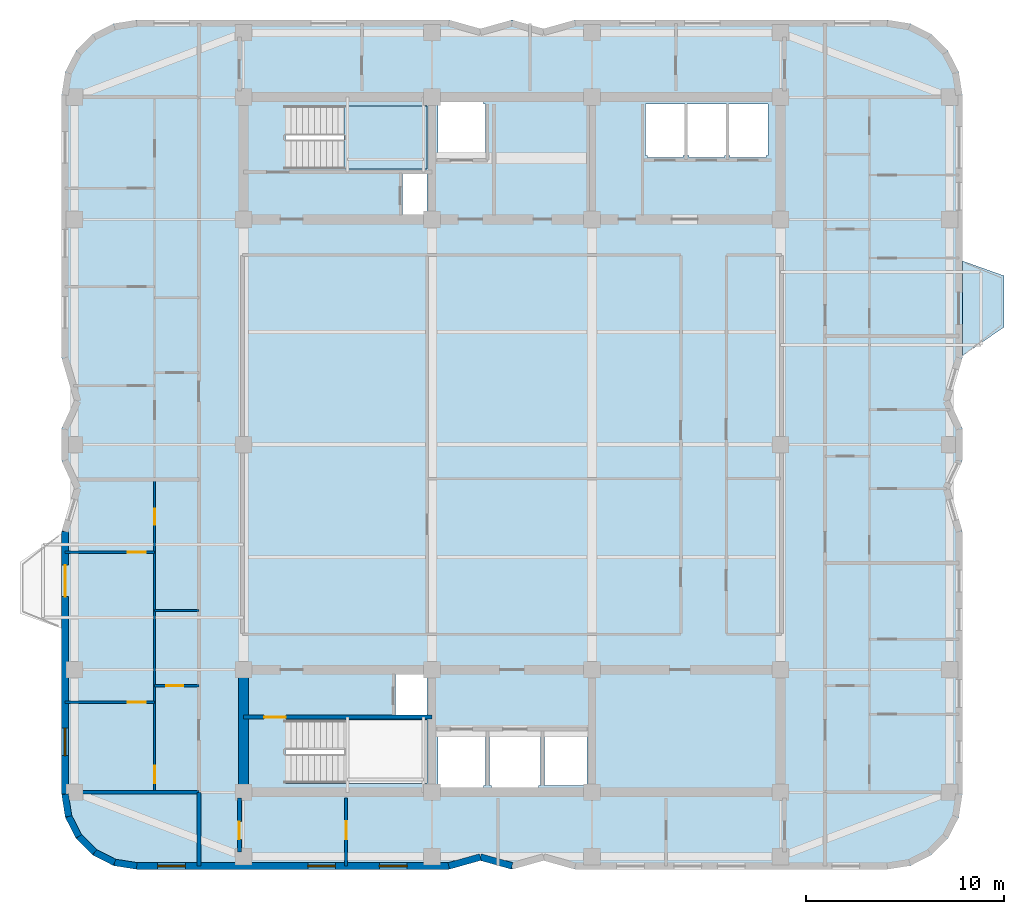
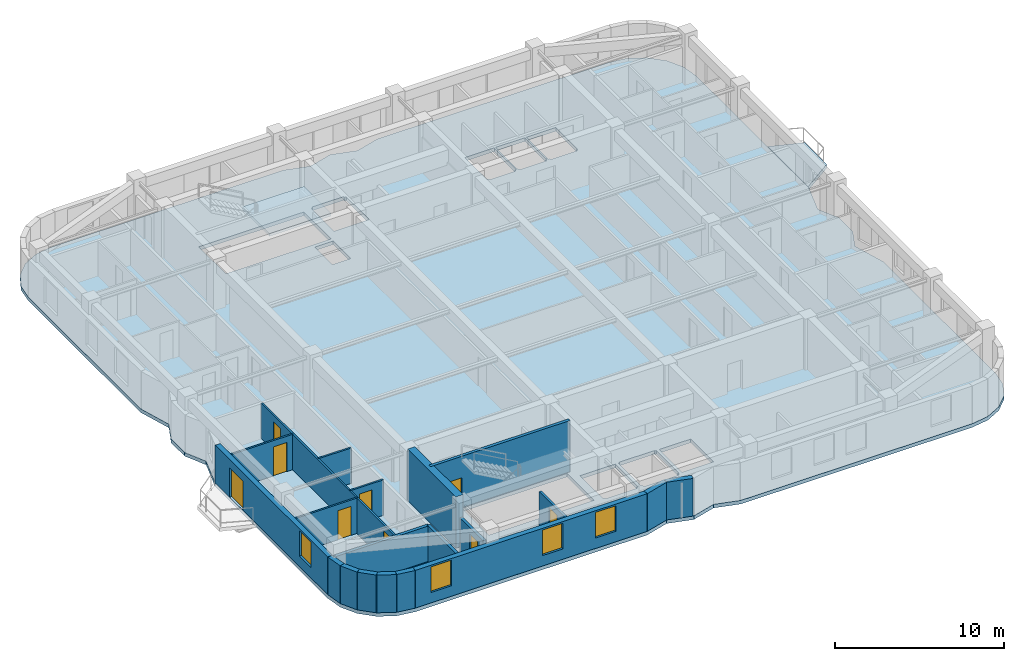
# One storey, part 2 of 9: 20 walls, 9 doors, 4 windows, 3 slabs, 13 openings, 1 element without a shape of its own.
"""IFC4 building model written with IfcOpenShell, lengths in metres."""

from ifc_helpers import new_model, si_unit, direction, frame, frame_2d, origin, place, context, subcontext, project, spatial, polyline, rectangle, outline, extrude, material, layer, layer_set, type_object, element, fill, aggregate, save


model = new_model("IFC4")

# Units and contexts
model_context = context("Model", 3, precision=1e-05, world=origin(), true_north=direction((0.0, 1.0)))
body_context = subcontext(model_context, "Body", "Model", "MODEL_VIEW")
ifc_project = project(units=[si_unit("LENGTHUNIT", "METRE"), si_unit("AREAUNIT", "SQUARE_METRE"), si_unit("VOLUMEUNIT", "CUBIC_METRE"), si_unit("PLANEANGLEUNIT", "RADIAN"), si_unit("MASSUNIT", "GRAM", prefix="KILO")], contexts=[model_context])

# Site, building, storey
site_placement = place(None, origin())
site = spatial("IfcSite", under=ifc_project, at=site_placement, CompositionType="ELEMENT")
building_placement = place(site_placement, origin())
building = spatial("IfcBuilding", under=site, at=building_placement, Name="Svetorya Sky Lyceum", CompositionType="ELEMENT")
storey_placement = place(building_placement, frame((0.0, 0.0, 211.0)))
storey = spatial("IfcBuildingStorey", under=building, at=storey_placement, Name="L52", CompositionType="ELEMENT", Elevation=211.0)

# Slab
ifc_material_1 = material(Name="Concrete C40/50", Category="concrete")
ifc_layer_1 = layer(ifc_material_1, 0.260009765625)
ifc_layer_set_1 = layer_set([ifc_layer_1], Name="Concrete C40/50")
slab_type_1 = type_object("IfcSlabType", Name="SL-BAL-260", PredefinedType="FLOOR", material=ifc_layer_set_1)
slab_1_placement = place(storey_placement, frame((0.0, 0.0, -0.260009765625)))
element("IfcSlab", 1, at=slab_1_placement, inside=storey, type_object=slab_type_1, Name="L52 Chamfered Loggia Balcony BAL-E1", PredefinedType="FLOOR", context=body_context, shape_type="SweptSolid", body=[
    extrude(outline(polyline([(62.010009765625, 32.699951171875), (64.110107421875, 34.14990234375), (64.110107421875, 36.75), (62.010009765625, 37.5), (62.010009765625, 32.699951171875)])), origin(), (0.0, 0.0, 1.0), 0.260009765625),
])

# Stair, slab
stair_type = type_object("IfcStairType", Name="STR-ST-N", PredefinedType="HALF_TURN_STAIR", material=ifc_material_1)
stair_placement = place(storey_placement, origin())
stair = element("IfcStair", 2, at=stair_placement, inside=storey, type_object=stair_type, Name="L52 North Core Smoke-Free Exit Stair N3", PredefinedType="HALF_TURN_STAIR")
ifc_layer_2 = layer(ifc_material_1, 0.199951171875)
ifc_layer_set_2 = layer_set([ifc_layer_2], Name="Concrete C40/50")
slab_type_2 = type_object("IfcSlabType", Name="SL-STR-LAND-200", PredefinedType="LANDING", material=ifc_layer_set_2)
slab_2_placement = place(storey_placement, frame((0.0, 0.0, 1.64990234375)))
slab_2 = element("IfcSlab", 3, at=slab_2_placement, type_object=slab_type_2, Name="ST-N landing 1", PredefinedType="LANDING", context=body_context, shape_type="SweptSolid", body=[
    extrude(outline(polyline([(30.699951171875, 42.14990234375), (34.89990234375, 42.14990234375), (34.89990234375, 45.35009765625), (30.699951171875, 45.35009765625), (30.699951171875, 42.14990234375)])), origin(), (0.0, 0.0, 1.0), 0.2001953125),
])
aggregate(stair, [slab_2])

# Slab
ifc_material_2 = material(Name="Concrete C50/60", Category="concrete")
ifc_layer_3 = layer(ifc_material_2, 0.260009765625)
ifc_layer_set_3 = layer_set([ifc_layer_3], Name="Concrete C50/60")
slab_type_3 = type_object("IfcSlabType", Name="SL-TWR-260", PredefinedType="FLOOR", material=ifc_layer_set_3)
slab_3_placement = place(storey_placement, frame((0.0, 0.0, -0.260009765625)))
element("IfcSlab", 4, at=slab_3_placement, inside=storey, type_object=slab_type_3, Name="L52 Structural Floor Slab", PredefinedType="FLOOR", context=body_context, shape_type="SweptSolid", body=[
    extrude(outline(polyline([(16.39990234375, 10.5), (16.5859375, 9.32568359375), (17.125732421875, 8.266357421875), (17.96630859375, 7.42578125), (19.025634765625, 6.885986328125), (20.199951171875, 6.699951171875), (36.0, 6.699951171875), (37.60009765625, 7.14990234375), (39.199951171875, 6.699951171875), (40.800048828125, 7.14990234375), (42.39990234375, 6.699951171875), (58.199951171875, 6.699951171875), (59.374267578125, 6.885986328125), (60.43359375, 7.42578125), (61.2744140625, 8.266357421875), (61.81396484375, 9.32568359375), (62.0, 10.5), (62.0, 23.800048828125), (61.35009765625, 26.0), (62.0, 27.39990234375), (62.0, 29.0), (61.35009765625, 30.39990234375), (62.0, 32.60009765625), (62.0, 45.89990234375), (61.81396484375, 47.07421875), (61.2744140625, 48.133544921875), (60.43359375, 48.974365234375), (59.374267578125, 49.513916015625), (58.199951171875, 49.699951171875), (42.39990234375, 49.699951171875), (40.800048828125, 49.25), (39.199951171875, 49.699951171875), (37.60009765625, 49.25), (36.0, 49.699951171875), (20.199951171875, 49.699951171875), (19.025634765625, 49.513916015625), (17.96630859375, 48.974365234375), (17.125732421875, 48.133544921875), (16.5859375, 47.07421875), (16.39990234375, 45.89990234375), (16.39990234375, 32.60009765625), (17.050048828125, 30.39990234375), (16.39990234375, 29.0), (16.39990234375, 27.39990234375), (17.050048828125, 26.0), (16.39990234375, 23.800048828125), (16.39990234375, 10.5)]), holes=[polyline([(37.85009765625, 10.949951171875), (37.75, 10.949951171875), (37.75, 10.85009765625), (35.550048828125, 10.85009765625), (35.550048828125, 10.949951171875), (35.449951171875, 10.949951171875), (35.449951171875, 13.64990234375), (35.550048828125, 13.64990234375), (37.75, 13.64990234375), (37.85009765625, 13.64990234375), (37.85009765625, 10.949951171875)]), polyline([(38.14990234375, 10.800048828125), (38.14990234375, 10.949951171875), (38.050048828125, 10.949951171875), (38.050048828125, 13.64990234375), (38.14990234375, 13.64990234375), (38.14990234375, 13.699951171875), (40.550048828125, 13.699951171875), (40.550048828125, 13.64990234375), (40.64990234375, 13.64990234375), (40.64990234375, 10.949951171875), (40.550048828125, 10.949951171875), (40.550048828125, 10.800048828125), (38.14990234375, 10.800048828125)]), polyline([(27.719970703125, 11.050048828125), (27.719970703125, 14.25), (34.89990234375, 14.25), (34.89990234375, 11.050048828125), (27.719970703125, 11.050048828125)]), polyline([(33.300048828125, 14.52001953125), (33.300048828125, 16.580078125), (34.89990234375, 16.580078125), (34.89990234375, 14.52001953125), (33.300048828125, 14.52001953125)]), polyline([(33.64990234375, 39.820068359375), (33.64990234375, 41.89990234375), (34.89990234375, 41.89990234375), (34.89990234375, 39.820068359375), (33.64990234375, 39.820068359375)]), polyline([(27.719970703125, 42.14990234375), (27.719970703125, 45.35009765625), (34.89990234375, 45.35009765625), (34.89990234375, 42.14990234375), (27.719970703125, 42.14990234375)]), polyline([(37.75, 42.75), (35.550048828125, 42.75), (35.449951171875, 42.75), (35.449951171875, 45.449951171875), (35.550048828125, 45.449951171875), (35.550048828125, 45.550048828125), (37.75, 45.550048828125), (37.75, 45.449951171875), (37.85009765625, 45.449951171875), (37.85009765625, 42.75), (37.75, 42.75)]), polyline([(40.85009765625, 10.949951171875), (40.85009765625, 13.64990234375), (43.0, 13.64990234375), (43.0, 10.949951171875), (40.85009765625, 10.949951171875)]), polyline([(46.050048828125, 42.75), (46.050048828125, 42.85009765625), (45.949951171875, 42.85009765625), (45.949951171875, 45.449951171875), (46.050048828125, 45.449951171875), (47.85009765625, 45.449951171875), (47.949951171875, 45.449951171875), (47.949951171875, 42.85009765625), (47.85009765625, 42.85009765625), (47.85009765625, 42.75), (46.050048828125, 42.75)]), polyline([(50.050048828125, 42.85009765625), (49.949951171875, 42.85009765625), (49.949951171875, 42.75), (48.14990234375, 42.75), (48.14990234375, 42.85009765625), (48.050048828125, 42.85009765625), (48.050048828125, 45.449951171875), (48.14990234375, 45.449951171875), (49.949951171875, 45.449951171875), (50.050048828125, 45.449951171875), (50.050048828125, 42.85009765625)]), polyline([(52.14990234375, 42.85009765625), (52.050048828125, 42.85009765625), (52.050048828125, 42.75), (50.25, 42.75), (50.25, 42.85009765625), (50.14990234375, 42.85009765625), (50.14990234375, 45.449951171875), (50.25, 45.449951171875), (52.050048828125, 45.449951171875), (52.14990234375, 45.449951171875), (52.14990234375, 42.85009765625)])]), origin(), (0.0, 0.0, 1.0), 0.260009765625),
])

# Walls
ifc_layer_4 = layer(ifc_material_2, 0.5)
ifc_layer_set_4 = layer_set([ifc_layer_4], Name="Concrete C50/60")
wall_type_1 = type_object("IfcWallType", Name="WL-CORE-500", PredefinedType="SHEAR", material=ifc_layer_set_4)
wall_1_placement = place(storey_placement, frame((25.60009765625, 10.85009765625, 0.0), z_axis=(0.0, 0.0, 1.0), x_axis=(0.0, 1.0, 0.0)))
element("IfcWall", 5, at=wall_1_placement, inside=storey, type_object=wall_type_1, Name="L52 SC West Core Shear Wall", PredefinedType="SHEAR", context=body_context, shape_type="SweptSolid", body=[
    extrude(rectangle(XDim=5.699951171875, YDim=0.5, at=frame_2d((2.85009765625, 0.0))), origin(), (0.0, 0.0, 1.0), 3.699951171875),
])
ifc_material_3 = material(Name="Putilovo limestone rainscreen on autoclaved cellular masonry", Category="masonry")
ifc_layer_5 = layer(ifc_material_3, 0.340087890625)
ifc_layer_set_5 = layer_set([ifc_layer_5], Name="Putilovo limestone rainscreen on autoclaved cellular masonry")
wall_type_2 = type_object("IfcWallType", Name="WL-EXT-340", PredefinedType="SOLIDWALL", material=ifc_layer_set_5)
wall_2_placement = place(storey_placement, frame((16.570068359375, 10.5, 0.0), z_axis=(0.0, 0.0, 1.0), x_axis=(0.156514556949, -0.987675651954, 0.0)))
element("IfcWall", 6, at=wall_2_placement, inside=storey, type_object=wall_type_2, Name="L52 Limestone Exterior Wall 1M", PredefinedType="SOLIDWALL", context=body_context, shape_type="SweptSolid", body=[
    extrude(rectangle(XDim=1.135498046875, YDim=0.340087890625, at=frame_2d((0.56787109375, 0.0))), origin(), (0.0, 0.0, 1.0), 2.719970703125),
])
for number, where, z_axis, x_axis, name in (
    (7, (16.747802734375, 9.37841796875, 0.0), (0.0, 0.0, 1.0), (0.45373580117, -0.891136253744, 0.0), "L52 Limestone Exterior Wall 2M"),
    (8, (17.26318359375, 8.3662109375, 0.0), (0.0, 0.0, 1.0), (0.707214252388, -0.706999293649, 0.0), "L52 Limestone Exterior Wall 3M"),
    (9, (18.06640625, 7.563232421875, 0.0), (0.0, 0.0, 1.0), (0.891005044957, -0.453993402883, 0.0), "L52 Limestone Exterior Wall 4M"),
):
    element("IfcWall", number, at=place(storey_placement, frame(where, z_axis=z_axis, x_axis=x_axis)), inside=storey, type_object=wall_type_2, Name=name, PredefinedType="SOLIDWALL", context=body_context, shape_type="SweptSolid", body=[
        extrude(rectangle(XDim=1.1357421875, YDim=0.340087890625, at=frame_2d((0.56787109375, 0.0))), origin(), (0.0, 0.0, 1.0), 2.719970703125),
    ])
wall_3_placement = place(storey_placement, frame((19.078369140625, 7.047607421875, 0.0), z_axis=(0.0, 0.0, 1.0), x_axis=(0.987708865555, -0.156304820474, 0.0)))
element("IfcWall", 10, at=wall_3_placement, inside=storey, type_object=wall_type_2, Name="L52 Limestone Exterior Wall 5M", PredefinedType="SOLIDWALL", context=body_context, shape_type="SweptSolid", body=[
    extrude(rectangle(XDim=1.135498046875, YDim=0.340087890625, at=frame_2d((0.56787109375, 0.0))), origin(), (0.0, 0.0, 1.0), 2.719970703125),
])

# Wall, openings, windows
wall_4_placement = place(storey_placement, frame((20.199951171875, 6.8701171875, 0.0), z_axis=(0.0, 0.0, 1.0), x_axis=(1.0, 0.0, 0.0)))
wall_4 = element("IfcWall", 11, at=wall_4_placement, inside=storey, type_object=wall_type_2, Name="L52 Limestone Exterior Wall 6M", PredefinedType="SOLIDWALL", context=body_context, shape_type="SweptSolid", body=[
    extrude(rectangle(XDim=15.800048828125, YDim=0.340087890625, at=frame_2d((7.89990234375, 0.0))), origin(), (0.0, 0.0, 1.0), 2.719970703125),
])
opening_1_placement = place(wall_4_placement, frame((1.0625, 0.0, 0.75)))
opening_1 = element("IfcOpeningElement", 12, at=opening_1_placement, cuts=wall_4, Name="Opening W-R2", PredefinedType="OPENING", context=body_context, shape_type="SweptSolid", body=[
    extrude(rectangle(XDim=1.39990234375, YDim=1.85009765625, at=frame_2d((0.699951171875, 0.925048828125))), frame((0.0, 0.179931640625, 0.0), z_axis=(0.0, -1.0, 0.0), x_axis=(1.0, 0.0, 0.0)), (0.0, 0.0, 1.0), 0.360107421875),
])
opening_2_placement = place(wall_4_placement, frame((8.66259765625, 0.0, 0.75)))
opening_2 = element("IfcOpeningElement", 13, at=opening_2_placement, cuts=wall_4, Name="Opening W-R2", PredefinedType="OPENING", context=body_context, shape_type="SweptSolid", body=[
    extrude(rectangle(XDim=1.39990234375, YDim=1.85009765625, at=frame_2d((0.699951171875, 0.925048828125))), frame((0.0, 0.179931640625, 0.0), z_axis=(0.0, -1.0, 0.0), x_axis=(1.0, 0.0, 0.0)), (0.0, 0.0, 1.0), 0.360107421875),
])
opening_3_placement = place(wall_4_placement, frame((12.28759765625, 0.0, 0.75)))
opening_3 = element("IfcOpeningElement", 14, at=opening_3_placement, cuts=wall_4, Name="Opening W-R2", PredefinedType="OPENING", context=body_context, shape_type="SweptSolid", body=[
    extrude(rectangle(XDim=1.39990234375, YDim=1.85009765625, at=frame_2d((0.699951171875, 0.925048828125))), frame((0.0, 0.179931640625, 0.0), z_axis=(0.0, -1.0, 0.0), x_axis=(1.0, 0.0, 0.0)), (0.0, 0.0, 1.0), 0.360107421875),
])
ifc_material_4 = material(Name="Thermally broken aluminium frame with triple low-E glazing", Category="aluminium")
window_type = type_object("IfcWindowType", Name="WN-RES-140", PartitioningType="SINGLE_PANEL", PredefinedType="WINDOW", material=ifc_material_4)
window_1_placement = place(opening_1_placement, origin())
window_1 = element("IfcWindow", 15, at=window_1_placement, inside=storey, type_object=window_type, Name="L52 Facade Window W-R2.6M.1", OverallHeight=1.85009765625, OverallWidth=1.39990234375, PartitioningType="SINGLE_PANEL", PredefinedType="WINDOW", context=body_context, shape_type="SweptSolid", body=[
    extrude(rectangle(XDim=1.39990234375, YDim=1.85009765625, at=frame_2d((0.699951171875, 0.925048828125))), frame((0.0, 0.030029296875, 0.0), z_axis=(0.0, -1.0, 0.0), x_axis=(1.0, 0.0, 0.0)), (0.0, 0.0, 1.0), 0.06005859375),
])
fill(opening_1, window_1)
window_2_placement = place(opening_2_placement, origin())
window_2 = element("IfcWindow", 16, at=window_2_placement, inside=storey, type_object=window_type, Name="L52 Facade Window W-R2.6M.2", OverallHeight=1.85009765625, OverallWidth=1.39990234375, PartitioningType="SINGLE_PANEL", PredefinedType="WINDOW", context=body_context, shape_type="SweptSolid", body=[
    extrude(rectangle(XDim=1.39990234375, YDim=1.85009765625, at=frame_2d((0.699951171875, 0.925048828125))), frame((0.0, 0.030029296875, 0.0), z_axis=(0.0, -1.0, 0.0), x_axis=(1.0, 0.0, 0.0)), (0.0, 0.0, 1.0), 0.06005859375),
])
fill(opening_2, window_2)
window_3_placement = place(opening_3_placement, origin())
window_3 = element("IfcWindow", 17, at=window_3_placement, inside=storey, type_object=window_type, Name="L52 Facade Window W-R2.6M.3", OverallHeight=1.85009765625, OverallWidth=1.39990234375, PartitioningType="SINGLE_PANEL", PredefinedType="WINDOW", context=body_context, shape_type="SweptSolid", body=[
    extrude(rectangle(XDim=1.39990234375, YDim=1.85009765625, at=frame_2d((0.699951171875, 0.925048828125))), frame((0.0, 0.030029296875, 0.0), z_axis=(0.0, -1.0, 0.0), x_axis=(1.0, 0.0, 0.0)), (0.0, 0.0, 1.0), 0.06005859375),
])
fill(opening_3, window_3)

# Walls
wall_5_placement = place(storey_placement, frame((36.0, 6.8701171875, 0.0), z_axis=(0.0, 0.0, 1.0), x_axis=(0.962662902433, 0.270703040766, 0.0)))
element("IfcWall", 18, at=wall_5_placement, inside=storey, type_object=wall_type_2, Name="L52 Limestone Exterior Wall 7M", PredefinedType="SOLIDWALL", context=body_context, shape_type="SweptSolid", body=[
    extrude(rectangle(XDim=1.662109375, YDim=0.340087890625, at=frame_2d((0.8310546875, 0.0))), origin(), (0.0, 0.0, 1.0), 2.719970703125),
])
wall_6_placement = place(storey_placement, frame((37.60009765625, 7.320068359375, 0.0), z_axis=(0.0, 0.0, 1.0), x_axis=(0.962652136636, -0.270741322725, 0.0)))
element("IfcWall", 19, at=wall_6_placement, inside=storey, type_object=wall_type_2, Name="L52 Limestone Exterior Wall 8M", PredefinedType="SOLIDWALL", context=body_context, shape_type="SweptSolid", body=[
    extrude(rectangle(XDim=1.661865234375, YDim=0.340087890625, at=frame_2d((0.8310546875, 0.0))), origin(), (0.0, 0.0, 1.0), 2.719970703125),
])

# Wall, openings, door, window
wall_7_placement = place(storey_placement, frame((16.570068359375, 23.800048828125, 0.0), z_axis=(0.0, 0.0, 1.0), x_axis=(0.0, -1.0, 0.0)))
wall_7 = element("IfcWall", 20, at=wall_7_placement, inside=storey, type_object=wall_type_2, Name="L52 Limestone Exterior Wall 46M", PredefinedType="SOLIDWALL", context=body_context, shape_type="SweptSolid", body=[
    extrude(rectangle(XDim=13.300048828125, YDim=0.340087890625, at=frame_2d((6.64990234375, 0.0))), origin(), (0.0, 0.0, 1.0), 2.719970703125),
])
opening_4_placement = place(wall_7_placement, frame((1.699951171875, 0.0, 0.0)))
opening_4 = element("IfcOpeningElement", 21, at=opening_4_placement, cuts=wall_7, Name="Opening D-BL1", PredefinedType="OPENING", context=body_context, shape_type="SweptSolid", body=[
    extrude(rectangle(XDim=1.60009765625, YDim=2.10009765625, at=frame_2d((0.800048828125, 1.050048828125))), frame((0.0, 0.179931640625, 0.0), z_axis=(0.0, -1.0, 0.0), x_axis=(1.0, 0.0, 0.0)), (0.0, 0.0, 1.0), 0.360107421875),
])
opening_5_placement = place(wall_7_placement, frame((9.949951171875, 0.0, 0.75)))
opening_5 = element("IfcOpeningElement", 22, at=opening_5_placement, cuts=wall_7, Name="Opening W-R2", PredefinedType="OPENING", context=body_context, shape_type="SweptSolid", body=[
    extrude(rectangle(XDim=1.39990234375, YDim=1.85009765625, at=frame_2d((0.699951171875, 0.925048828125))), frame((0.0, 0.179931640625, 0.0), z_axis=(0.0, -1.0, 0.0), x_axis=(1.0, 0.0, 0.0)), (0.0, 0.0, 1.0), 0.360107421875),
])
ifc_material_5 = material(Name="Insulated glazed aluminium balcony door", Category="aluminium")
door_type_1 = type_object("IfcDoorType", Name="DR-BAL-1600", OperationType="DOUBLE_DOOR_SINGLE_SWING", PredefinedType="DOOR", material=ifc_material_5)
door_1_placement = place(opening_4_placement, origin())
door_1 = element("IfcDoor", 23, at=door_1_placement, inside=storey, type_object=door_type_1, Name="L52 Balcony BAL-W1 Door", OperationType="DOUBLE_DOOR_SINGLE_SWING", OverallHeight=2.10009765625, OverallWidth=1.60009765625, PredefinedType="DOOR", context=body_context, shape_type="SweptSolid", body=[
    extrude(rectangle(XDim=1.60009765625, YDim=2.10009765625, at=frame_2d((0.800048828125, 1.050048828125))), frame((0.0, 0.02490234375, 0.0), z_axis=(0.0, -1.0, 0.0), x_axis=(1.0, 0.0, 0.0)), (0.0, 0.0, 1.0), 0.050048828125),
])
fill(opening_4, door_1)
window_4_placement = place(opening_5_placement, origin())
window_4 = element("IfcWindow", 24, at=window_4_placement, inside=storey, type_object=window_type, Name="L52 Facade Window W-R2.46M.1", OverallHeight=1.85009765625, OverallWidth=1.39990234375, PartitioningType="SINGLE_PANEL", PredefinedType="WINDOW", context=body_context, shape_type="SweptSolid", body=[
    extrude(rectangle(XDim=1.39990234375, YDim=1.85009765625, at=frame_2d((0.699951171875, 0.925048828125))), frame((0.0, 0.030029296875, 0.0), z_axis=(0.0, -1.0, 0.0), x_axis=(1.0, 0.0, 0.0)), (0.0, 0.0, 1.0), 0.06005859375),
])
fill(opening_5, window_4)

# Wall, opening, door
ifc_material_6 = material(Name="Twin-stud galvanized framing with double fireboard", Category="gypsum")
ifc_layer_6 = layer(ifc_material_6, 0.1201171875)
ifc_layer_set_6 = layer_set([ifc_layer_6], Name="Twin-stud galvanized framing with double fireboard")
wall_type_3 = type_object("IfcWallType", Name="WL-PART-120", PredefinedType="PARTITIONING", material=ifc_layer_set_6)
wall_8_placement = place(storey_placement, frame((21.10009765625, 16.0, 0.0), z_axis=(0.0, 0.0, 1.0), x_axis=(1.0, 0.0, 0.0)))
wall_8 = element("IfcWall", 25, at=wall_8_placement, inside=storey, type_object=wall_type_3, Name="L52 Interior Partition W1-WH1", PredefinedType="PARTITIONING", context=body_context, shape_type="SweptSolid", body=[
    extrude(rectangle(XDim=2.25, YDim=0.1201171875, at=frame_2d((1.125, 0.0))), origin(), (0.0, 0.0, 1.0), 2.550048828125),
])
opening_6_placement = place(wall_8_placement, frame((0.60009765625, 0.0, 0.0)))
opening_6 = element("IfcOpeningElement", 26, at=opening_6_placement, cuts=wall_8, Name="Opening D-BT1", PredefinedType="OPENING", context=body_context, shape_type="SweptSolid", body=[
    extrude(rectangle(XDim=0.85009765625, YDim=2.10009765625, at=frame_2d((0.425048828125, 1.050048828125))), frame((0.0, 0.070068359375, 0.0), z_axis=(0.0, -1.0, 0.0), x_axis=(1.0, 0.0, 0.0)), (0.0, 0.0, 1.0), 0.14013671875),
])
ifc_material_7 = material(Name="Moisture-resistant laminate bathroom door")
door_type_2 = type_object("IfcDoorType", Name="DR-WET-850", OperationType="SINGLE_SWING_LEFT", PredefinedType="DOOR", material=ifc_material_7)
door_2_placement = place(opening_6_placement, origin())
door_2 = element("IfcDoor", 27, at=door_2_placement, inside=storey, type_object=door_type_2, Name="Apartment W1 Bathroom Door", OperationType="SINGLE_SWING_LEFT", OverallHeight=2.10009765625, OverallWidth=0.85009765625, PredefinedType="DOOR", context=body_context, shape_type="SweptSolid", body=[
    extrude(rectangle(XDim=0.85009765625, YDim=2.10009765625, at=frame_2d((0.425048828125, 1.050048828125))), frame((0.0, 0.02490234375, 0.0), z_axis=(0.0, -1.0, 0.0), x_axis=(1.0, 0.0, 0.0)), (0.0, 0.0, 1.0), 0.050048828125),
])
fill(opening_6, door_2)

# Wall
wall_9_placement = place(storey_placement, frame((21.10009765625, 19.800048828125, 0.0), z_axis=(0.0, 0.0, 1.0), x_axis=(1.0, 0.0, 0.0)))
element("IfcWall", 28, at=wall_9_placement, inside=storey, type_object=wall_type_3, Name="L52 Interior Partition W1-WH2", PredefinedType="PARTITIONING", context=body_context, shape_type="SweptSolid", body=[
    extrude(rectangle(XDim=2.25, YDim=0.1201171875, at=frame_2d((1.125, 0.0))), origin(), (0.0, 0.0, 1.0), 2.550048828125),
])

# Wall, opening, door
wall_10_placement = place(storey_placement, frame((16.570068359375, 15.14990234375, 0.0), z_axis=(0.0, 0.0, 1.0), x_axis=(1.0, 0.0, 0.0)))
wall_10 = element("IfcWall", 29, at=wall_10_placement, inside=storey, type_object=wall_type_3, Name="L52 Interior Partition W1-WL1", PredefinedType="PARTITIONING", context=body_context, shape_type="SweptSolid", body=[
    extrude(rectangle(XDim=4.530029296875, YDim=0.1201171875, at=frame_2d((2.26513671875, 0.0))), origin(), (0.0, 0.0, 1.0), 2.550048828125),
])
opening_7_placement = place(wall_10_placement, frame((3.179931640625, 0.0, 0.0)))
opening_7 = element("IfcOpeningElement", 30, at=opening_7_placement, cuts=wall_10, Name="Opening D-RM1", PredefinedType="OPENING", context=body_context, shape_type="SweptSolid", body=[
    extrude(rectangle(XDim=0.89990234375, YDim=2.10009765625, at=frame_2d((0.449951171875, 1.050048828125))), frame((0.0, 0.070068359375, 0.0), z_axis=(0.0, -1.0, 0.0), x_axis=(1.0, 0.0, 0.0)), (0.0, 0.0, 1.0), 0.14013671875),
])
ifc_material_8 = material(Name="Lacquered birch veneer internal door")
door_type_3 = type_object("IfcDoorType", Name="DR-INT-900", OperationType="SINGLE_SWING_LEFT", PredefinedType="DOOR", material=ifc_material_8)
door_3_placement = place(opening_7_placement, origin())
door_3 = element("IfcDoor", 31, at=door_3_placement, inside=storey, type_object=door_type_3, Name="Apartment W1 Master Bedroom Door", OperationType="SINGLE_SWING_LEFT", OverallHeight=2.10009765625, OverallWidth=0.89990234375, PredefinedType="DOOR", context=body_context, shape_type="SweptSolid", body=[
    extrude(rectangle(XDim=0.89990234375, YDim=2.10009765625, at=frame_2d((0.449951171875, 1.050048828125))), frame((0.0, 0.02490234375, 0.0), z_axis=(0.0, -1.0, 0.0), x_axis=(1.0, 0.0, 0.0)), (0.0, 0.0, 1.0), 0.050048828125),
])
fill(opening_7, door_3)

wall_11_placement = place(storey_placement, frame((16.570068359375, 22.75, 0.0), z_axis=(0.0, 0.0, 1.0), x_axis=(1.0, 0.0, 0.0)))
wall_11 = element("IfcWall", 32, at=wall_11_placement, inside=storey, type_object=wall_type_3, Name="L52 Interior Partition W1-WL2", PredefinedType="PARTITIONING", context=body_context, shape_type="SweptSolid", body=[
    extrude(rectangle(XDim=4.530029296875, YDim=0.1201171875, at=frame_2d((2.26513671875, 0.0))), origin(), (0.0, 0.0, 1.0), 2.550048828125),
])
opening_8_placement = place(wall_11_placement, frame((3.179931640625, 0.0, 0.0)))
opening_8 = element("IfcOpeningElement", 33, at=opening_8_placement, cuts=wall_11, Name="Opening D-RM1", PredefinedType="OPENING", context=body_context, shape_type="SweptSolid", body=[
    extrude(rectangle(XDim=0.89990234375, YDim=2.10009765625, at=frame_2d((0.449951171875, 1.050048828125))), frame((0.0, 0.070068359375, 0.0), z_axis=(0.0, -1.0, 0.0), x_axis=(1.0, 0.0, 0.0)), (0.0, 0.0, 1.0), 0.14013671875),
])
door_4_placement = place(opening_8_placement, origin())
door_4 = element("IfcDoor", 34, at=door_4_placement, inside=storey, type_object=door_type_3, Name="Apartment W1 Bedroom 2 Door", OperationType="SINGLE_SWING_RIGHT", OverallHeight=2.10009765625, OverallWidth=0.89990234375, PredefinedType="DOOR", context=body_context, shape_type="SweptSolid", body=[
    extrude(rectangle(XDim=0.89990234375, YDim=2.10009765625, at=frame_2d((0.449951171875, 1.050048828125))), frame((0.0, 0.02490234375, 0.0), z_axis=(0.0, -1.0, 0.0), x_axis=(1.0, 0.0, 0.0)), (0.0, 0.0, 1.0), 0.050048828125),
])
fill(opening_8, door_4)

# Wall, openings, doors
wall_12_placement = place(storey_placement, frame((21.10009765625, 10.639892578125, 0.0), z_axis=(0.0, 0.0, 1.0), x_axis=(0.0, 1.0, 0.0)))
wall_12 = element("IfcWall", 35, at=wall_12_placement, inside=storey, type_object=wall_type_3, Name="L52 Interior Partition W1-WV", PredefinedType="PARTITIONING", context=body_context, shape_type="SweptSolid", body=[
    extrude(rectangle(XDim=15.760009765625, YDim=0.1201171875, at=frame_2d((7.8798828125, 0.0))), origin(), (0.0, 0.0, 1.0), 2.550048828125),
])
opening_9_placement = place(wall_12_placement, frame((0.409912109375, 0.0, 0.0)))
opening_9 = element("IfcOpeningElement", 36, at=opening_9_placement, cuts=wall_12, Name="Opening D-RM1", PredefinedType="OPENING", context=body_context, shape_type="SweptSolid", body=[
    extrude(rectangle(XDim=0.89990234375, YDim=2.10009765625, at=frame_2d((0.449951171875, 1.050048828125))), frame((0.0, 0.070068359375, 0.0), z_axis=(0.0, -1.0, 0.0), x_axis=(1.0, 0.0, 0.0)), (0.0, 0.0, 1.0), 0.14013671875),
])
opening_10_placement = place(wall_12_placement, frame((13.491943359375, 0.0, 0.0)))
opening_10 = element("IfcOpeningElement", 37, at=opening_10_placement, cuts=wall_12, Name="Opening D-BT2", PredefinedType="OPENING", context=body_context, shape_type="SweptSolid", body=[
    extrude(rectangle(XDim=0.820068359375, YDim=2.080078125, at=frame_2d((0.41015625, 1.0400390625))), frame((0.0, 0.070068359375, 0.0), z_axis=(0.0, -1.0, 0.0), x_axis=(1.0, 0.0, 0.0)), (0.0, 0.0, 1.0), 0.14013671875),
])
door_5_placement = place(opening_9_placement, origin())
door_5 = element("IfcDoor", 38, at=door_5_placement, inside=storey, type_object=door_type_3, Name="Apartment W1 Living Door", OperationType="SINGLE_SWING_RIGHT", OverallHeight=2.10009765625, OverallWidth=0.89990234375, PredefinedType="DOOR", context=body_context, shape_type="SweptSolid", body=[
    extrude(rectangle(XDim=0.89990234375, YDim=2.10009765625, at=frame_2d((0.449951171875, 1.050048828125))), frame((0.0, 0.02490234375, 0.0), z_axis=(0.0, -1.0, 0.0), x_axis=(1.0, 0.0, 0.0)), (0.0, 0.0, 1.0), 0.050048828125),
])
fill(opening_9, door_5)
ifc_material_9 = material(Name="Compact moisture-resistant laminate closet door")
door_type_4 = type_object("IfcDoorType", Name="DR-WET-820", OperationType="SINGLE_SWING_LEFT", PredefinedType="DOOR", material=ifc_material_9)
door_6_placement = place(opening_10_placement, origin())
door_6 = element("IfcDoor", 39, at=door_6_placement, inside=storey, type_object=door_type_4, Name="Apartment W1 Study Door", OperationType="SINGLE_SWING_LEFT", OverallHeight=2.080078125, OverallWidth=0.820068359375, PredefinedType="DOOR", context=body_context, shape_type="SweptSolid", body=[
    extrude(rectangle(XDim=0.820068359375, YDim=2.080078125, at=frame_2d((0.41015625, 1.0400390625))), frame((0.0, 0.02490234375, 0.0), z_axis=(0.0, -1.0, 0.0), x_axis=(1.0, 0.0, 0.0)), (0.0, 0.0, 1.0), 0.050048828125),
])
fill(opening_10, door_6)

# Wall, opening, door
ifc_material_10 = material(Name="Autoclaved cellular masonry blockwork with acoustic render", Category="masonry")
ifc_layer_7 = layer(ifc_material_10, 0.14990234375)
ifc_layer_set_7 = layer_set([ifc_layer_7], Name="Autoclaved cellular masonry blockwork with acoustic render")
wall_type_4 = type_object("IfcWallType", Name="WL-PART-150", PredefinedType="PARTITIONING", material=ifc_layer_set_7)
wall_13_placement = place(storey_placement, frame((30.800048828125, 6.8701171875, 0.0), z_axis=(0.0, 0.0, 1.0), x_axis=(0.0, 1.0, 0.0)))
wall_13 = element("IfcWall", 40, at=wall_13_placement, inside=storey, type_object=wall_type_4, Name="L52 Interior Partition S4-D1", PredefinedType="PARTITIONING", context=body_context, shape_type="SweptSolid", body=[
    extrude(rectangle(XDim=3.429931640625, YDim=0.14990234375, at=frame_2d((1.71484375, 0.0))), origin(), (0.0, 0.0, 1.0), 2.550048828125),
])
opening_11_placement = place(wall_13_placement, frame((1.35009765625, 0.0, 0.0)))
opening_11 = element("IfcOpeningElement", 41, at=opening_11_placement, cuts=wall_13, Name="Opening D-RM1", PredefinedType="OPENING", context=body_context, shape_type="SweptSolid", body=[
    extrude(rectangle(XDim=0.89990234375, YDim=2.10009765625, at=frame_2d((0.449951171875, 1.050048828125))), frame((0.0, 0.0849609375, 0.0), z_axis=(0.0, -1.0, 0.0), x_axis=(1.0, 0.0, 0.0)), (0.0, 0.0, 1.0), 0.169921875),
])
door_7_placement = place(opening_11_placement, origin())
door_7 = element("IfcDoor", 42, at=door_7_placement, inside=storey, type_object=door_type_3, Name="L52 South Suite Door 1", OperationType="SINGLE_SWING_LEFT", OverallHeight=2.10009765625, OverallWidth=0.89990234375, PredefinedType="DOOR", context=body_context, shape_type="SweptSolid", body=[
    extrude(rectangle(XDim=0.89990234375, YDim=2.10009765625, at=frame_2d((0.449951171875, 1.050048828125))), frame((0.0, 0.02490234375, 0.0), z_axis=(0.0, -1.0, 0.0), x_axis=(1.0, 0.0, 0.0)), (0.0, 0.0, 1.0), 0.050048828125),
])
fill(opening_11, door_7)

# Walls
ifc_material_11 = material(Name="Autoclaved cellular masonry blockwork with gypsum plaster", Category="masonry")
ifc_layer_8 = layer(ifc_material_11, 0.199951171875)
ifc_layer_set_8 = layer_set([ifc_layer_8], Name="Autoclaved cellular masonry blockwork with gypsum plaster")
wall_type_5 = type_object("IfcWallType", Name="WL-PART-200", PredefinedType="PARTITIONING", material=ifc_layer_set_8)
wall_14_placement = place(storey_placement, frame((16.989990234375, 10.60009765625, 0.0), z_axis=(0.0, 0.0, 1.0), x_axis=(1.0, 0.0, 0.0)))
element("IfcWall", 43, at=wall_14_placement, inside=storey, type_object=wall_type_5, Name="L52 Interior Partition W-CAP-S", PredefinedType="PARTITIONING", context=body_context, shape_type="SweptSolid", body=[
    extrude(rectangle(XDim=6.360107421875, YDim=0.199951171875, at=frame_2d((3.18017578125, 0.0))), origin(), (0.0, 0.0, 1.0), 2.550048828125),
])
wall_15_placement = place(storey_placement, frame((23.35009765625, 6.8701171875, 0.0), z_axis=(0.0, 0.0, 1.0), x_axis=(0.0, 1.0, 0.0)))
element("IfcWall", 44, at=wall_15_placement, inside=storey, type_object=wall_type_5, Name="L52 Interior Partition WC-SW-END", PredefinedType="PARTITIONING", context=body_context, shape_type="SweptSolid", body=[
    extrude(rectangle(XDim=3.72998046875, YDim=0.199951171875, at=frame_2d((1.864990234375, 0.0))), origin(), (0.0, 0.0, 1.0), 2.550048828125),
])

# Wall, opening, door
wall_16_placement = place(storey_placement, frame((25.39990234375, 7.570068359375, 0.0), z_axis=(0.0, 0.0, 1.0), x_axis=(0.0, 1.0, 0.0)))
wall_16 = element("IfcWall", 45, at=wall_16_placement, inside=storey, type_object=wall_type_5, Name="L52 Interior Partition S4-EW", PredefinedType="PARTITIONING", context=body_context, shape_type="SweptSolid", body=[
    extrude(rectangle(XDim=2.72998046875, YDim=0.199951171875, at=frame_2d((1.364990234375, 0.0))), origin(), (0.0, 0.0, 1.0), 2.550048828125),
])
opening_12_placement = place(wall_16_placement, frame((0.64990234375, 0.0, 0.0)))
opening_12 = element("IfcOpeningElement", 46, at=opening_12_placement, cuts=wall_16, Name="Opening D-RM1", PredefinedType="OPENING", context=body_context, shape_type="SweptSolid", body=[
    extrude(rectangle(XDim=0.89990234375, YDim=2.10009765625, at=frame_2d((0.449951171875, 1.050048828125))), frame((0.0, 0.10986328125, 0.0), z_axis=(0.0, -1.0, 0.0), x_axis=(1.0, 0.0, 0.0)), (0.0, 0.0, 1.0), 0.219970703125),
])
door_8_placement = place(opening_12_placement, origin())
door_8 = element("IfcDoor", 47, at=door_8_placement, inside=storey, type_object=door_type_3, Name="L52 SW Office Door", OperationType="SINGLE_SWING_LEFT", OverallHeight=2.10009765625, OverallWidth=0.89990234375, PredefinedType="DOOR", context=body_context, shape_type="SweptSolid", body=[
    extrude(rectangle(XDim=0.89990234375, YDim=2.10009765625, at=frame_2d((0.449951171875, 1.050048828125))), frame((0.0, 0.02490234375, 0.0), z_axis=(0.0, -1.0, 0.0), x_axis=(1.0, 0.0, 0.0)), (0.0, 0.0, 1.0), 0.050048828125),
])
fill(opening_12, door_8)

ifc_layer_9 = layer(ifc_material_2, 0.199951171875)
ifc_layer_set_9 = layer_set([ifc_layer_9], Name="Concrete C50/60")
wall_type_6 = type_object("IfcWallType", Name="WL-SHW-200", PredefinedType="SHEAR", material=ifc_layer_set_9)
wall_17_placement = place(storey_placement, frame((25.60009765625, 14.39990234375, 0.0), z_axis=(0.0, 0.0, 1.0), x_axis=(1.0, 0.0, 0.0)))
wall_17 = element("IfcWall", 48, at=wall_17_placement, inside=storey, type_object=wall_type_6, Name="L52 Structural Stair Shaft Wall SC-STW", PredefinedType="SHEAR", context=body_context, shape_type="SweptSolid", body=[
    extrude(rectangle(XDim=9.5498046875, YDim=0.199951171875, at=frame_2d((4.77490234375, 0.0))), origin(), (0.0, 0.0, 1.0), 3.699951171875),
])
opening_13_placement = place(wall_17_placement, frame((1.050048828125, 0.0, 0.0)))
opening_13 = element("IfcOpeningElement", 49, at=opening_13_placement, cuts=wall_17, Name="Opening D-ST1", PredefinedType="OPENING", context=body_context, shape_type="SweptSolid", body=[
    extrude(rectangle(XDim=1.10009765625, YDim=2.14990234375, at=frame_2d((0.550048828125, 1.074951171875))), frame((0.0, 0.10986328125, 0.0), z_axis=(0.0, -1.0, 0.0), x_axis=(1.0, 0.0, 0.0)), (0.0, 0.0, 1.0), 0.219970703125),
])
ifc_material_12 = material(Name="Powder-coated insulated galvanized stair fire door")
door_type_5 = type_object("IfcDoorType", Name="DR-FIRE-1100", OperationType="SINGLE_SWING_LEFT", PredefinedType="DOOR", material=ifc_material_12)
door_9_placement = place(opening_13_placement, origin())
door_9 = element("IfcDoor", 50, at=door_9_placement, inside=storey, type_object=door_type_5, Name="L52 Stair ST-S Vestibule Fire Door", OperationType="SINGLE_SWING_LEFT", OverallHeight=2.14990234375, OverallWidth=1.10009765625, PredefinedType="DOOR", context=body_context, shape_type="SweptSolid", body=[
    extrude(rectangle(XDim=1.10009765625, YDim=2.14990234375, at=frame_2d((0.550048828125, 1.074951171875))), frame((0.0, 0.02490234375, 0.0), z_axis=(0.0, -1.0, 0.0), x_axis=(1.0, 0.0, 0.0)), (0.0, 0.0, 1.0), 0.050048828125),
])
fill(opening_13, door_9)

save(model, "model.ifc")
